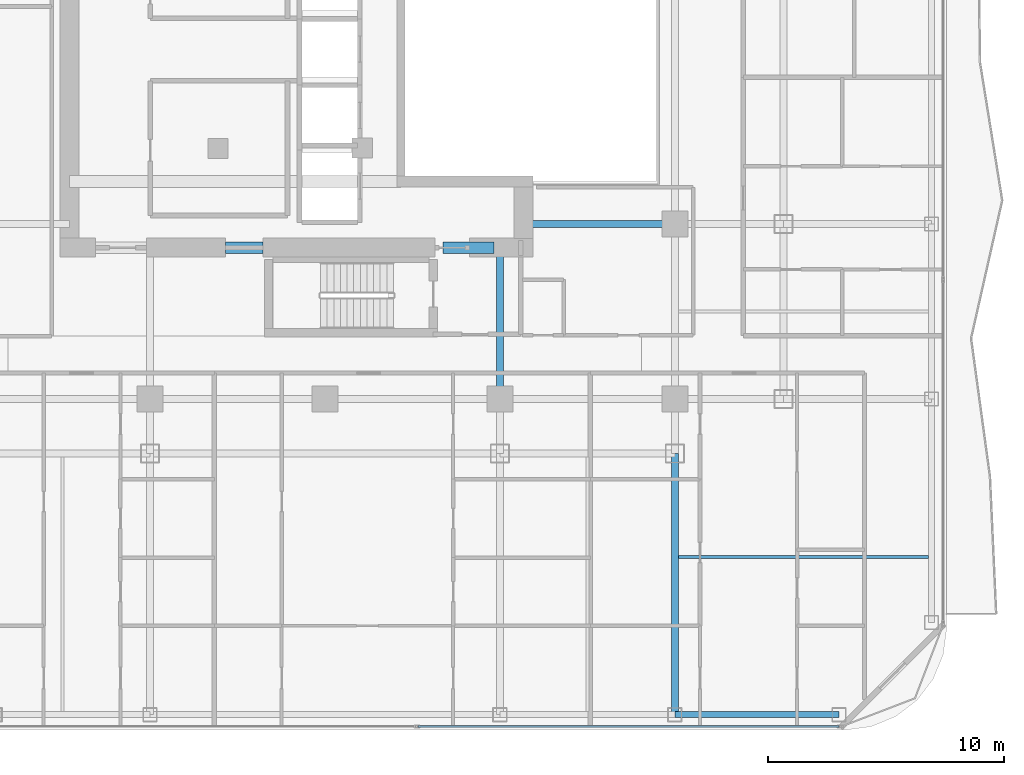
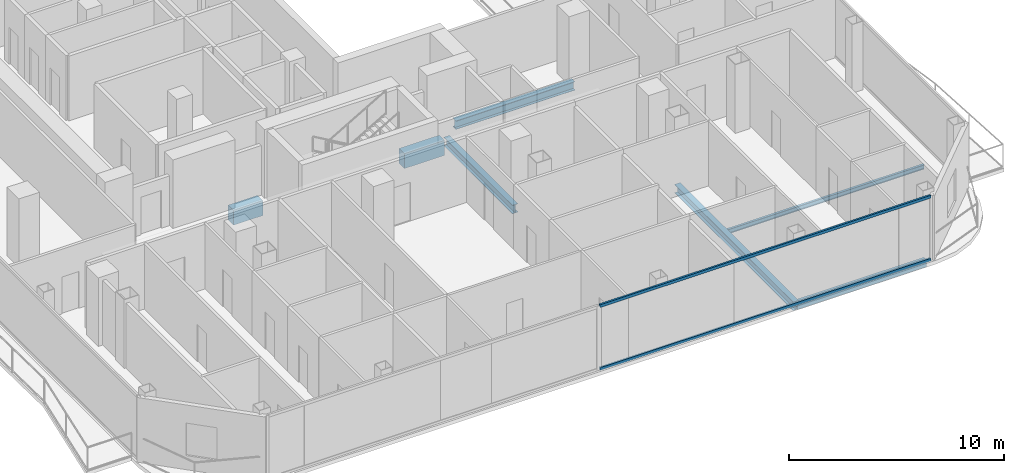
# One storey, part 9 of 27: 7 beams, 2 members, 1 element without a shape of its own.
"""IFC4 building model written with IfcOpenShell, lengths in metres."""

import ifcopenshell
import ifcopenshell.guid

model = None  # the IFC model being written
_history = None  # IfcOwnerHistory: only IFC2X3 demands one
_inside = {}  # id of a spatial element -> (the spatial element, [elements in it])
_under = {}  # id of a project, library or spatial element -> (it, [spatial elements below it])
_declared = {}  # id of a project -> (the project, [libraries it declares])
_typed = {}  # id of a type object -> (the type object, [elements of that type])
_made_of = {}  # id of a material, layer set ... -> (it, [elements and type objects made of it])


def new_model(schema):
    """Start an empty IFC model of exactly this schema.

    Asked for "IFC4X3", IfcOpenShell would pick the latest addendum, in which some entities
    have other attributes; the version numbers below select the first issue.
    IFC2X3 requires an IfcOwnerHistory on every rooted entity: one is made here for all.
    """
    global model, _history
    if schema == "IFC4X3":
        model = ifcopenshell.file(schema_version=(4, 3, 0, 0))
    else:
        model = ifcopenshell.file(schema=schema)
    _inside.clear()
    _under.clear()
    _declared.clear()
    _typed.clear()
    _made_of.clear()
    _history = None
    if model.schema == "IFC2X3":
        org = make("IfcOrganization", Name="unknown")
        user = make(
            "IfcPersonAndOrganization",
            ThePerson=make("IfcPerson", FamilyName="unknown"),
            TheOrganization=org,
        )
        app = make(
            "IfcApplication",
            ApplicationDeveloper=org,
            Version="unknown",
            ApplicationFullName="unknown",
            ApplicationIdentifier="unknown",
        )
        _history = make(
            "IfcOwnerHistory",
            OwningUser=user,
            OwningApplication=app,
            ChangeAction="ADDED",
            CreationDate=0,
        )
    return model


def make(cls, **values):
    """One entity of the class cls with the attributes given. An attribute that is None is left unset."""
    return model.create_entity(
        cls, **{name: value for name, value in values.items() if value is not None}
    )


def rooted(cls, **values):
    """An entity with a GlobalId (a new one), such as an element, a storey or a relation."""
    return make(cls, GlobalId=ifcopenshell.guid.new(), OwnerHistory=_history, **values)


def si_unit(unit_type, name, prefix=None):
    """IfcSIUnit, for example si_unit("LENGTHUNIT", "METRE", prefix="MILLI")."""
    return make("IfcSIUnit", UnitType=unit_type, Prefix=prefix, Name=name)


def assignment(units):
    """IfcUnitAssignment: the units of a project."""
    return None if units is None else make("IfcUnitAssignment", Units=units)


def point(xyz):
    """IfcCartesianPoint."""
    return None if xyz is None else make("IfcCartesianPoint", Coordinates=xyz)


def direction(xyz):
    """IfcDirection."""
    return None if xyz is None else make("IfcDirection", DirectionRatios=xyz)


def frame(location, z_axis=None, x_axis=None):
    """IfcAxis2Placement3D, a coordinate frame: its origin and axes. An axis left out is left unset."""
    return make(
        "IfcAxis2Placement3D",
        Location=point(location),
        Axis=direction(z_axis),
        RefDirection=direction(x_axis),
    )


def frame_2d(location, x_axis=None):
    """IfcAxis2Placement2D, a coordinate frame in the plane: its origin and x axis."""
    return make(
        "IfcAxis2Placement2D", Location=point(location), RefDirection=direction(x_axis)
    )


def origin():
    """The frame at (0, 0, 0) with its axes left unset."""
    return frame((0.0, 0.0, 0.0))


def origin_2d():
    """The frame at (0, 0) in the plane with its x axis left unset."""
    return frame_2d((0.0, 0.0))


def place(relative_to, where):
    """IfcLocalPlacement: puts the frame where relative to a parent placement (None: the world)."""
    return make(
        "IfcLocalPlacement", PlacementRelTo=relative_to, RelativePlacement=where
    )


def context(
    kind, dimensions, precision=None, world=None, true_north=None, identifier=None
):
    """IfcGeometricRepresentationContext, for example the 3D "Model" context."""
    return make(
        "IfcGeometricRepresentationContext",
        ContextIdentifier=identifier,
        ContextType=kind,
        CoordinateSpaceDimension=dimensions,
        Precision=precision,
        WorldCoordinateSystem=world,
        TrueNorth=true_north,
    )


def subcontext(parent, identifier, kind, view, scale=None):
    """IfcGeometricRepresentationSubContext, for example "Body" below "Model"."""
    return make(
        "IfcGeometricRepresentationSubContext",
        ContextIdentifier=identifier,
        ContextType=kind,
        ParentContext=parent,
        TargetScale=scale,
        TargetView=view,
    )


def project(units=None, contexts=None):
    """IfcProject with its units and contexts."""
    return rooted(
        "IfcProject",
        Name="project",
        RepresentationContexts=contexts,
        UnitsInContext=assignment(units),
    )


def spatial(cls, under=None, at=None, **own):
    """A site, building, storey or space (cls), placed at a placement, below another one or the project."""
    s = rooted(cls, ObjectPlacement=at, **own)
    if under is not None:
        _under.setdefault(under.id(), (under, []))[1].append(s)
    return s


def profile(cls, at=None, kind="AREA", **sizes):
    """A parametric profile (cls). Its sizes go by their IFC names, for example OverallWidth=200.0."""
    return make(cls, ProfileType=kind, Position=at, **sizes)


def rectangle(**sizes):
    """IfcRectangleProfileDef."""
    return profile("IfcRectangleProfileDef", **sizes)


def hollow_rectangle(**sizes):
    """IfcRectangleHollowProfileDef."""
    return profile("IfcRectangleHollowProfileDef", **sizes)


def i_section(**sizes):
    """IfcIShapeProfileDef."""
    return profile("IfcIShapeProfileDef", **sizes)


def extrude(swept, where, along, depth):
    """IfcExtrudedAreaSolid: the profile swept, set in the frame where, extruded along a direction by depth."""
    return make(
        "IfcExtrudedAreaSolid",
        SweptArea=swept,
        Position=where,
        ExtrudedDirection=direction(along),
        Depth=depth,
    )


def shape(context_of_items, identifier, shape_type, items):
    """IfcShapeRepresentation: the items that make up one representation, for example the "Body"."""
    return make(
        "IfcShapeRepresentation",
        ContextOfItems=context_of_items,
        RepresentationIdentifier=identifier,
        RepresentationType=shape_type,
        Items=items,
    )


def material(Name=None, Category=None):
    """IfcMaterial."""
    return make("IfcMaterial", Name=Name, Category=Category)


def layer(
    of_material, thickness, ventilated=None, Name=None, Category=None, Priority=None
):
    """IfcMaterialLayer: one layer of a wall or slab, of a material (None: an air gap)."""
    return make(
        "IfcMaterialLayer",
        Material=of_material,
        LayerThickness=thickness,
        IsVentilated=ventilated,
        Name=Name,
        Category=Category,
        Priority=Priority,
    )


def layer_set(layers, Name=None):
    """IfcMaterialLayerSet."""
    return make("IfcMaterialLayerSet", MaterialLayers=layers, LayerSetName=Name)


def material_profile(
    of_material, cross_section, Name=None, Category=None, Priority=None
):
    """IfcMaterialProfile: a cross section and its material."""
    return make(
        "IfcMaterialProfile",
        Name=Name,
        Material=of_material,
        Profile=cross_section,
        Priority=Priority,
        Category=Category,
    )


def profile_set(profiles, Name=None, composite=None):
    """IfcMaterialProfileSet."""
    return make(
        "IfcMaterialProfileSet",
        Name=Name,
        MaterialProfiles=profiles,
        CompositeProfile=composite,
    )


def made_of(thing, what):
    """Note that an element or type object is made of a material, layer set ...; save() writes the relation."""
    if what is not None:
        _made_of.setdefault(what.id(), (what, []))[1].append(thing)
    return thing


def type_object(cls, material=None, **own):
    """A type object (cls), such as IfcWallType, which elements share."""
    return made_of(rooted(cls, **own), material)


def element(
    cls,
    number,
    at=None,
    inside=None,
    cuts=None,
    type_object=None,
    material=None,
    context=None,
    identifier="Body",
    shape_type=None,
    held_by="IfcProductDefinitionShape",
    body=None,
    shapes=None,
    **own,
):
    """One element of the class cls, such as IfcWall. Its Tag is "e" and its number.

    at: its placement. inside: the storey or other place that contains it. cuts: it is an
    opening in that element (IfcRelVoidsElement). A single representation is given by context,
    identifier, shape_type and body (its items); several are given by shapes. held_by: the class
    of the entity that holds the representations. save() writes the other relations.
    """
    e = rooted(cls, Tag="e%d" % number, ObjectPlacement=at, **own)
    if body is not None:
        shapes = [shape(context, identifier, shape_type, body)]
    if shapes is not None:
        e.Representation = make(held_by, Representations=shapes)
    if inside is not None:
        _inside.setdefault(inside.id(), (inside, []))[1].append(e)
    if cuts is not None:
        rooted(
            "IfcRelVoidsElement", RelatingBuildingElement=cuts, RelatedOpeningElement=e
        )
    if type_object is not None:
        _typed.setdefault(type_object.id(), (type_object, []))[1].append(e)
    return made_of(e, material)


def aggregate(whole, parts):
    """IfcRelAggregates: a whole, such as a stair, and the parts it consists of."""
    return rooted("IfcRelAggregates", RelatingObject=whole, RelatedObjects=parts)


def save(model, path):
    """Write the relations noted so far, then the file.

    IfcRelAggregates (storeys below a building ...), IfcRelContainedInSpatialStructure (elements
    in a storey), IfcRelDefinesByType, IfcRelAssociatesMaterial and IfcRelDeclares: one each for
    every whole, place, type object, material and project.
    """
    for whole, parts in _under.values():
        aggregate(whole, parts)
    for where, things in _inside.values():
        rooted(
            "IfcRelContainedInSpatialStructure",
            RelatedElements=things,
            RelatingStructure=where,
        )
    for kind, things in _typed.values():
        rooted("IfcRelDefinesByType", RelatedObjects=things, RelatingType=kind)
    for what, things in _made_of.values():
        rooted("IfcRelAssociatesMaterial", RelatedObjects=things, RelatingMaterial=what)
    for by, libraries in _declared.values():
        rooted("IfcRelDeclares", RelatingContext=by, RelatedDefinitions=libraries)
    model.write(path)


model = new_model("IFC4")

# Units and contexts
model_context = context("Model", 3, precision=1e-05, world=origin(), true_north=direction((0.0, 1.0)))
body_context = subcontext(model_context, "Body", "Model", "MODEL_VIEW")
ifc_project = project(units=[si_unit("LENGTHUNIT", "METRE"), si_unit("AREAUNIT", "SQUARE_METRE"), si_unit("VOLUMEUNIT", "CUBIC_METRE"), si_unit("PLANEANGLEUNIT", "RADIAN"), si_unit("MASSUNIT", "GRAM", prefix="KILO")], contexts=[model_context])

# Site, building, storey
site_placement = place(None, origin())
site = spatial("IfcSite", under=ifc_project, at=site_placement, CompositionType="ELEMENT")
building_placement = place(site_placement, origin())
building = spatial("IfcBuilding", under=site, at=building_placement, Name="Khorvyn Point Tower", CompositionType="ELEMENT")
storey_placement = place(building_placement, frame((0.0, 0.0, 227.39990234375)))
storey = spatial("IfcBuildingStorey", under=building, at=storey_placement, Name="L56", CompositionType="ELEMENT", Elevation=227.39990234375)

# Curtain wall, members
ifc_material_1 = material(Name="Anodised aluminium 6063-T6 and laminated Low-E glass", Category="aluminium")
ifc_layer = layer(ifc_material_1, 0.18994140625)
ifc_layer_set = layer_set([ifc_layer], Name="Stick-Built Acoustic Curtain Wall CW-SYS-03")
curtain_wall_type = type_object("IfcCurtainWallType", Name="Stick-Built Acoustic Curtain Wall CW-SYS-03", PredefinedType="NOTDEFINED", material=ifc_layer_set)
curtain_wall_placement = place(storey_placement, origin())
curtain_wall = element("IfcCurtainWall", 1, at=curtain_wall_placement, inside=storey, type_object=curtain_wall_type, Name="Curtain Wall", PredefinedType="NOTDEFINED")
ifc_material_2 = material(Name="Anodised aluminium 6063-T6", Category="aluminium")
ifc_material_profile_1 = material_profile(ifc_material_2, hollow_rectangle(XDim=0.10009765625, YDim=0.159912109375, WallThickness=0.00439453125, at=origin_2d()))
ifc_profile_set_1 = profile_set([ifc_material_profile_1], Name="Anodised aluminium 6063-T6 ALU-TRN-100x160")
member_type = type_object("IfcMemberType", Name="Anodised Aluminium 6063-T6 Transom ALU-TRN-100x160", PredefinedType="USERDEFINED", material=ifc_profile_set_1)
member_1_placement = place(storey_placement, frame((21.75, -28.64990234375, 0.050048828125), z_axis=(-1.0, 0.0, 0.0), x_axis=(0.0, -1.0, 0.0)))
member_1 = element("IfcMember", 2, at=member_1_placement, type_object=member_type, Name="Transom", ObjectType="TRANSOM", PredefinedType="USERDEFINED", context=body_context, shape_type="SweptSolid", body=[
    extrude(hollow_rectangle(XDim=0.10009765625, YDim=0.159912109375, WallThickness=0.00439453125, at=origin_2d()), origin(), (0.0, 0.0, 1.0), 17.800048828125),
])
member_2_placement = place(storey_placement, frame((21.75, -28.64990234375, 3.630126953125), z_axis=(-1.0, 0.0, 0.0), x_axis=(0.0, -1.0, 0.0)))
member_2 = element("IfcMember", 3, at=member_2_placement, type_object=member_type, Name="Transom", ObjectType="TRANSOM", PredefinedType="USERDEFINED", context=body_context, shape_type="SweptSolid", body=[
    extrude(hollow_rectangle(XDim=0.10009765625, YDim=0.159912109375, WallThickness=0.00439453125, at=origin_2d()), origin(), (0.0, 0.0, 1.0), 17.800048828125),
])
aggregate(curtain_wall, [member_1, member_2])

# Beams
ifc_material_3 = material(Name="Concrete C45/55", Category="concrete")
ifc_material_profile_2 = material_profile(ifc_material_3, rectangle(XDim=0.5, YDim=0.85009765625, at=origin_2d()))
ifc_profile_set_2 = profile_set([ifc_material_profile_2], Name="Concrete C45/55 RC500x850")
beam_type_1 = type_object("IfcBeamType", Name="Concrete C45/55 Beam RC500x850", PredefinedType="BEAM", material=ifc_profile_set_2)
beam_1_placement = place(storey_placement, frame((-4.199951171875, -8.39990234375, -0.64501953125), z_axis=(1.0, 0.0, 0.0), x_axis=(0.0, 1.0, 0.0)))
element("IfcBeam", 4, at=beam_1_placement, inside=storey, type_object=beam_type_1, Name="L56 Core Shuttle Portal Coupling Beam", PredefinedType="BEAM", context=body_context, shape_type="SweptSolid", body=[
    extrude(rectangle(XDim=0.5, YDim=0.85009765625, at=origin_2d()), origin(), (0.0, 0.0, 1.0), 1.579833984375),
])
beam_2_placement = place(storey_placement, frame((5.0, -8.39990234375, -0.64501953125), z_axis=(1.0, 0.0, 0.0), x_axis=(0.0, 1.0, 0.0)))
element("IfcBeam", 5, at=beam_2_placement, inside=storey, type_object=beam_type_1, Name="L56 Core Southeast Portal Coupling Beam", PredefinedType="BEAM", context=body_context, shape_type="SweptSolid", body=[
    extrude(rectangle(XDim=0.5, YDim=0.85009765625, at=origin_2d()), origin(), (0.0, 0.0, 1.0), 2.14990234375),
])
ifc_material_4 = material(Name="Steel S355", Category="steel")
ifc_material_profile_3 = material_profile(ifc_material_4, i_section(OverallWidth=0.125, OverallDepth=0.25, WebThickness=0.006103515625, FlangeThickness=0.009033203125, at=origin_2d()))
ifc_profile_set_3 = profile_set([ifc_material_profile_3], Name="Steel S355 H250x125x6x9")
beam_type_2 = type_object("IfcBeamType", Name="Steel S355 Joist H250x125x6x9", PredefinedType="JOIST", material=ifc_profile_set_3)
beam_3_placement = place(storey_placement, frame((14.949951171875, -21.47509765625, -0.344970703125), z_axis=(1.0, 0.0, 0.0), x_axis=(0.0, 1.0, 0.0)))
element("IfcBeam", 6, at=beam_3_placement, inside=storey, type_object=beam_type_2, Name="Beam", PredefinedType="JOIST", context=body_context, shape_type="SweptSolid", body=[
    extrude(i_section(OverallWidth=0.125, OverallDepth=0.25, WebThickness=0.006103515625, FlangeThickness=0.009033203125, at=origin_2d()), origin(), (0.0, 0.0, 1.0), 10.574951171875),
])
ifc_material_profile_4 = material_profile(ifc_material_4, i_section(OverallWidth=0.300048828125, OverallDepth=0.488037109375, WebThickness=0.010986328125, FlangeThickness=0.01806640625, at=origin_2d()))
ifc_profile_set_4 = profile_set([ifc_material_profile_4], Name="Steel S355 H488x300x11x18")
beam_type_3 = type_object("IfcBeamType", Name="Steel S355 Spandrel H488x300x11x18", PredefinedType="SPANDREL", material=ifc_profile_set_4)
beam_4_placement = place(storey_placement, frame((8.39990234375, -7.39990234375, -0.4638671875), z_axis=(1.0, 0.0, 0.0), x_axis=(0.0, 1.0, 0.0)))
element("IfcBeam", 7, at=beam_4_placement, inside=storey, type_object=beam_type_3, Name="Beam", PredefinedType="SPANDREL", context=body_context, shape_type="SweptSolid", body=[
    extrude(i_section(OverallWidth=0.300048828125, OverallDepth=0.488037109375, WebThickness=0.010986328125, FlangeThickness=0.01806640625, at=origin_2d()), origin(), (0.0, 0.0, 1.0), 6.400146484375),
])
beam_5_placement = place(storey_placement, frame((14.800048828125, -28.14990234375, -0.4638671875), z_axis=(0.0, 1.0, 0.0), x_axis=(-1.0, 0.0, 0.0)))
element("IfcBeam", 8, at=beam_5_placement, inside=storey, type_object=beam_type_3, Name="Beam", PredefinedType="SPANDREL", context=body_context, shape_type="SweptSolid", body=[
    extrude(i_section(OverallWidth=0.300048828125, OverallDepth=0.488037109375, WebThickness=0.010986328125, FlangeThickness=0.01806640625, at=origin_2d()), origin(), (0.0, 0.0, 1.0), 11.0498046875),
])
beam_6_placement = place(storey_placement, frame((7.39990234375, -14.800048828125, -0.4638671875), z_axis=(0.0, 1.0, 0.0), x_axis=(-1.0, 0.0, 0.0)))
element("IfcBeam", 9, at=beam_6_placement, inside=storey, type_object=beam_type_3, Name="Beam", PredefinedType="SPANDREL", context=body_context, shape_type="SweptSolid", body=[
    extrude(i_section(OverallWidth=0.300048828125, OverallDepth=0.488037109375, WebThickness=0.010986328125, FlangeThickness=0.01806640625, at=origin_2d()), origin(), (0.0, 0.0, 1.0), 6.400146484375),
])
ifc_material_profile_5 = material_profile(ifc_material_4, hollow_rectangle(XDim=0.25, YDim=0.39990234375, WallThickness=0.01611328125, at=origin_2d()))
ifc_profile_set_5 = profile_set([ifc_material_profile_5], Name="Steel S355 RHS400x250x16")
beam_type_4 = type_object("IfcBeamType", Name="Steel S355 Spandrel RHS400x250x16", PredefinedType="SPANDREL", material=ifc_profile_set_5)
beam_7_placement = place(storey_placement, frame((14.800048828125, -28.14990234375, -0.419921875), z_axis=(1.0, 0.0, 0.0), x_axis=(0.0, 1.0, 0.0)))
element("IfcBeam", 10, at=beam_7_placement, inside=storey, type_object=beam_type_4, Name="Beam", PredefinedType="SPANDREL", context=body_context, shape_type="SweptSolid", body=[
    extrude(hollow_rectangle(XDim=0.25, YDim=0.39990234375, WallThickness=0.01611328125, at=origin_2d()), origin(), (0.0, 0.0, 1.0), 6.949951171875),
])

save(model, "model.ifc")
